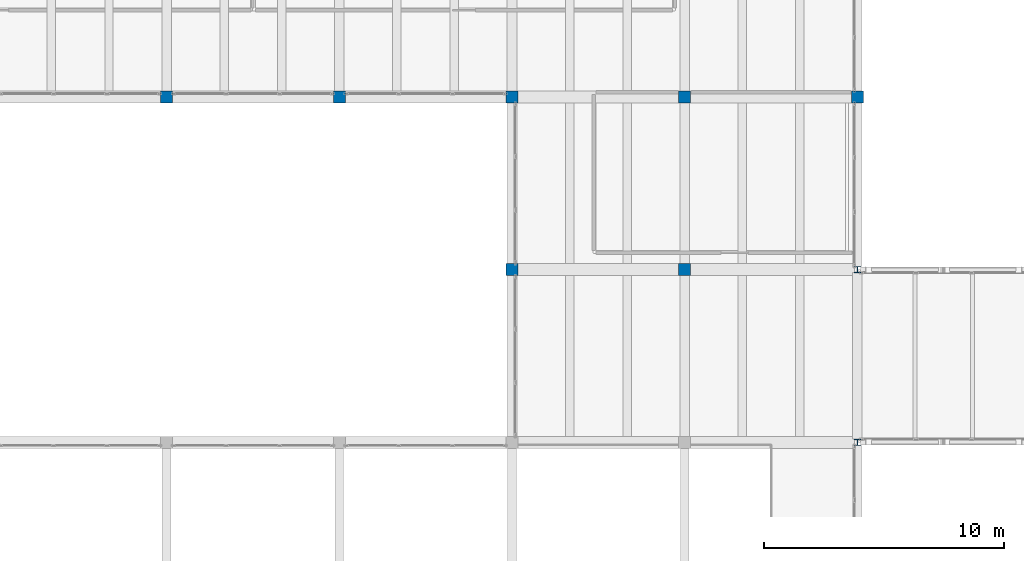
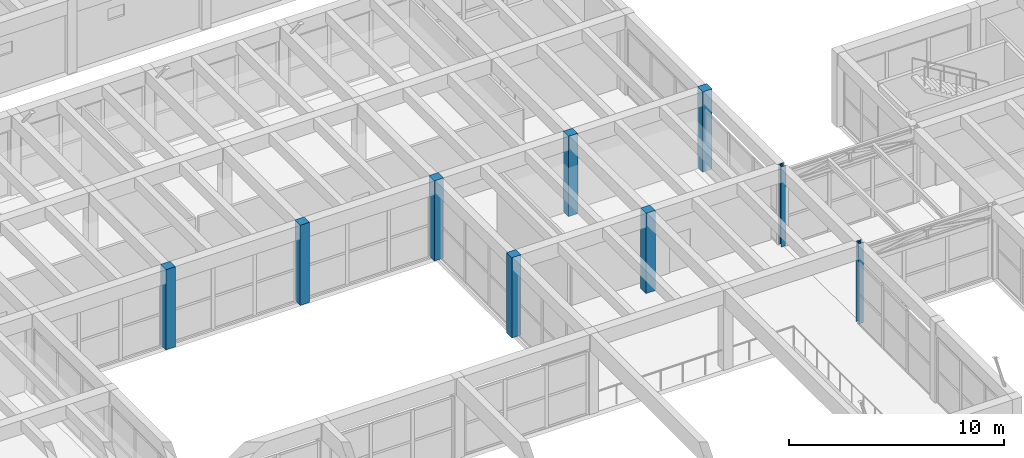
# One storey, part 4 of 153: 9 columns.
"""IFC4 building model written with IfcOpenShell, lengths in metres."""

import ifcopenshell
import ifcopenshell.guid

model = None  # the IFC model being written
_history = None  # IfcOwnerHistory: only IFC2X3 demands one
_inside = {}  # id of a spatial element -> (the spatial element, [elements in it])
_under = {}  # id of a project, library or spatial element -> (it, [spatial elements below it])
_declared = {}  # id of a project -> (the project, [libraries it declares])
_typed = {}  # id of a type object -> (the type object, [elements of that type])
_made_of = {}  # id of a material, layer set ... -> (it, [elements and type objects made of it])


def new_model(schema):
    """Start an empty IFC model of exactly this schema.

    Asked for "IFC4X3", IfcOpenShell would pick the latest addendum, in which some entities
    have other attributes; the version numbers below select the first issue.
    IFC2X3 requires an IfcOwnerHistory on every rooted entity: one is made here for all.
    """
    global model, _history
    if schema == "IFC4X3":
        model = ifcopenshell.file(schema_version=(4, 3, 0, 0))
    else:
        model = ifcopenshell.file(schema=schema)
    _inside.clear()
    _under.clear()
    _declared.clear()
    _typed.clear()
    _made_of.clear()
    _history = None
    if model.schema == "IFC2X3":
        org = make("IfcOrganization", Name="unknown")
        user = make(
            "IfcPersonAndOrganization",
            ThePerson=make("IfcPerson", FamilyName="unknown"),
            TheOrganization=org,
        )
        app = make(
            "IfcApplication",
            ApplicationDeveloper=org,
            Version="unknown",
            ApplicationFullName="unknown",
            ApplicationIdentifier="unknown",
        )
        _history = make(
            "IfcOwnerHistory",
            OwningUser=user,
            OwningApplication=app,
            ChangeAction="ADDED",
            CreationDate=0,
        )
    return model


def make(cls, **values):
    """One entity of the class cls with the attributes given. An attribute that is None is left unset."""
    return model.create_entity(
        cls, **{name: value for name, value in values.items() if value is not None}
    )


def rooted(cls, **values):
    """An entity with a GlobalId (a new one), such as an element, a storey or a relation."""
    return make(cls, GlobalId=ifcopenshell.guid.new(), OwnerHistory=_history, **values)


def si_unit(unit_type, name, prefix=None):
    """IfcSIUnit, for example si_unit("LENGTHUNIT", "METRE", prefix="MILLI")."""
    return make("IfcSIUnit", UnitType=unit_type, Prefix=prefix, Name=name)


def assignment(units):
    """IfcUnitAssignment: the units of a project."""
    return None if units is None else make("IfcUnitAssignment", Units=units)


def point(xyz):
    """IfcCartesianPoint."""
    return None if xyz is None else make("IfcCartesianPoint", Coordinates=xyz)


def direction(xyz):
    """IfcDirection."""
    return None if xyz is None else make("IfcDirection", DirectionRatios=xyz)


def frame(location, z_axis=None, x_axis=None):
    """IfcAxis2Placement3D, a coordinate frame: its origin and axes. An axis left out is left unset."""
    return make(
        "IfcAxis2Placement3D",
        Location=point(location),
        Axis=direction(z_axis),
        RefDirection=direction(x_axis),
    )


def frame_2d(location, x_axis=None):
    """IfcAxis2Placement2D, a coordinate frame in the plane: its origin and x axis."""
    return make(
        "IfcAxis2Placement2D", Location=point(location), RefDirection=direction(x_axis)
    )


def origin():
    """The frame at (0, 0, 0) with its axes left unset."""
    return frame((0.0, 0.0, 0.0))


def origin_2d():
    """The frame at (0, 0) in the plane with its x axis left unset."""
    return frame_2d((0.0, 0.0))


def place(relative_to, where):
    """IfcLocalPlacement: puts the frame where relative to a parent placement (None: the world)."""
    return make(
        "IfcLocalPlacement", PlacementRelTo=relative_to, RelativePlacement=where
    )


def context(
    kind, dimensions, precision=None, world=None, true_north=None, identifier=None
):
    """IfcGeometricRepresentationContext, for example the 3D "Model" context."""
    return make(
        "IfcGeometricRepresentationContext",
        ContextIdentifier=identifier,
        ContextType=kind,
        CoordinateSpaceDimension=dimensions,
        Precision=precision,
        WorldCoordinateSystem=world,
        TrueNorth=true_north,
    )


def subcontext(parent, identifier, kind, view, scale=None):
    """IfcGeometricRepresentationSubContext, for example "Body" below "Model"."""
    return make(
        "IfcGeometricRepresentationSubContext",
        ContextIdentifier=identifier,
        ContextType=kind,
        ParentContext=parent,
        TargetScale=scale,
        TargetView=view,
    )


def project(units=None, contexts=None):
    """IfcProject with its units and contexts."""
    return rooted(
        "IfcProject",
        Name="project",
        RepresentationContexts=contexts,
        UnitsInContext=assignment(units),
    )


def spatial(cls, under=None, at=None, **own):
    """A site, building, storey or space (cls), placed at a placement, below another one or the project."""
    s = rooted(cls, ObjectPlacement=at, **own)
    if under is not None:
        _under.setdefault(under.id(), (under, []))[1].append(s)
    return s


def profile(cls, at=None, kind="AREA", **sizes):
    """A parametric profile (cls). Its sizes go by their IFC names, for example OverallWidth=200.0."""
    return make(cls, ProfileType=kind, Position=at, **sizes)


def rectangle(**sizes):
    """IfcRectangleProfileDef."""
    return profile("IfcRectangleProfileDef", **sizes)


def i_section(**sizes):
    """IfcIShapeProfileDef."""
    return profile("IfcIShapeProfileDef", **sizes)


def extrude(swept, where, along, depth):
    """IfcExtrudedAreaSolid: the profile swept, set in the frame where, extruded along a direction by depth."""
    return make(
        "IfcExtrudedAreaSolid",
        SweptArea=swept,
        Position=where,
        ExtrudedDirection=direction(along),
        Depth=depth,
    )


def shape(context_of_items, identifier, shape_type, items):
    """IfcShapeRepresentation: the items that make up one representation, for example the "Body"."""
    return make(
        "IfcShapeRepresentation",
        ContextOfItems=context_of_items,
        RepresentationIdentifier=identifier,
        RepresentationType=shape_type,
        Items=items,
    )


def material(Name=None, Category=None):
    """IfcMaterial."""
    return make("IfcMaterial", Name=Name, Category=Category)


def material_profile(
    of_material, cross_section, Name=None, Category=None, Priority=None
):
    """IfcMaterialProfile: a cross section and its material."""
    return make(
        "IfcMaterialProfile",
        Name=Name,
        Material=of_material,
        Profile=cross_section,
        Priority=Priority,
        Category=Category,
    )


def profile_set(profiles, Name=None, composite=None):
    """IfcMaterialProfileSet."""
    return make(
        "IfcMaterialProfileSet",
        Name=Name,
        MaterialProfiles=profiles,
        CompositeProfile=composite,
    )


def made_of(thing, what):
    """Note that an element or type object is made of a material, layer set ...; save() writes the relation."""
    if what is not None:
        _made_of.setdefault(what.id(), (what, []))[1].append(thing)
    return thing


def type_object(cls, material=None, **own):
    """A type object (cls), such as IfcWallType, which elements share."""
    return made_of(rooted(cls, **own), material)


def element(
    cls,
    number,
    at=None,
    inside=None,
    cuts=None,
    type_object=None,
    material=None,
    context=None,
    identifier="Body",
    shape_type=None,
    held_by="IfcProductDefinitionShape",
    body=None,
    shapes=None,
    **own,
):
    """One element of the class cls, such as IfcWall. Its Tag is "e" and its number.

    at: its placement. inside: the storey or other place that contains it. cuts: it is an
    opening in that element (IfcRelVoidsElement). A single representation is given by context,
    identifier, shape_type and body (its items); several are given by shapes. held_by: the class
    of the entity that holds the representations. save() writes the other relations.
    """
    e = rooted(cls, Tag="e%d" % number, ObjectPlacement=at, **own)
    if body is not None:
        shapes = [shape(context, identifier, shape_type, body)]
    if shapes is not None:
        e.Representation = make(held_by, Representations=shapes)
    if inside is not None:
        _inside.setdefault(inside.id(), (inside, []))[1].append(e)
    if cuts is not None:
        rooted(
            "IfcRelVoidsElement", RelatingBuildingElement=cuts, RelatedOpeningElement=e
        )
    if type_object is not None:
        _typed.setdefault(type_object.id(), (type_object, []))[1].append(e)
    return made_of(e, material)


def aggregate(whole, parts):
    """IfcRelAggregates: a whole, such as a stair, and the parts it consists of."""
    return rooted("IfcRelAggregates", RelatingObject=whole, RelatedObjects=parts)


def save(model, path):
    """Write the relations noted so far, then the file.

    IfcRelAggregates (storeys below a building ...), IfcRelContainedInSpatialStructure (elements
    in a storey), IfcRelDefinesByType, IfcRelAssociatesMaterial and IfcRelDeclares: one each for
    every whole, place, type object, material and project.
    """
    for whole, parts in _under.values():
        aggregate(whole, parts)
    for where, things in _inside.values():
        rooted(
            "IfcRelContainedInSpatialStructure",
            RelatedElements=things,
            RelatingStructure=where,
        )
    for kind, things in _typed.values():
        rooted("IfcRelDefinesByType", RelatedObjects=things, RelatingType=kind)
    for what, things in _made_of.values():
        rooted("IfcRelAssociatesMaterial", RelatedObjects=things, RelatingMaterial=what)
    for by, libraries in _declared.values():
        rooted("IfcRelDeclares", RelatingContext=by, RelatedDefinitions=libraries)
    model.write(path)


model = new_model("IFC4")

# Units and contexts
model_context = context("Model", 3, precision=1e-05, world=origin(), true_north=direction((0.0, 1.0)))
body_context = subcontext(model_context, "Body", "Model", "MODEL_VIEW")
ifc_project = project(units=[si_unit("LENGTHUNIT", "METRE"), si_unit("AREAUNIT", "SQUARE_METRE"), si_unit("VOLUMEUNIT", "CUBIC_METRE"), si_unit("PLANEANGLEUNIT", "RADIAN"), si_unit("MASSUNIT", "GRAM", prefix="KILO")], contexts=[model_context])

# Site, building, storey
site_placement = place(None, origin())
site = spatial("IfcSite", under=ifc_project, at=site_placement, CompositionType="ELEMENT")
building_placement = place(site_placement, origin())
building = spatial("IfcBuilding", under=site, at=building_placement, Name="Bramvelor Terrace Health Centre", CompositionType="ELEMENT")
storey_placement = place(building_placement, frame((0.0, 0.0, 4.800048828125)))
storey = spatial("IfcBuildingStorey", under=building, at=storey_placement, Name="L02", CompositionType="ELEMENT", Elevation=4.800048828125)

# Columns
ifc_material_1 = material(Name="Concrete C40/50", Category="concrete")
ifc_material_profile_1 = material_profile(ifc_material_1, rectangle(XDim=0.5, YDim=0.5, at=origin_2d()), Name="RC 500x500")
ifc_profile_set_1 = profile_set([ifc_material_profile_1], Name="Concrete C40/50")
column_type_1 = type_object("IfcColumnType", Name="COL-RC-500", PredefinedType="COLUMN", material=ifc_profile_set_1)
for number, where, z_axis, x_axis, name in (
    (1, (64.800048828125, 64.800048828125, 0.0), (0.0, 0.0, 1.0), (1.0, 0.0, 0.0), "L02 Column (64.8, 64.8)"),
    (2, (72.0, 64.800048828125, 0.0), (0.0, 0.0, 1.0), (1.0, 0.0, 0.0), "L02 Column (72.0, 64.8)"),
    (3, (79.199951171875, 57.60009765625, 0.0), (0.0, 0.0, 1.0), (1.0, 0.0, 0.0), "L02 Column (79.2, 57.6)"),
    (4, (79.199951171875, 64.800048828125, 0.0), (0.0, 0.0, 1.0), (1.0, 0.0, 0.0), "L02 Column (79.2, 64.8)"),
    (5, (86.39990234375, 57.60009765625, 0.0), (0.0, 0.0, 1.0), (1.0, 0.0, 0.0), "L02 Column (86.4, 57.6)"),
    (6, (86.39990234375, 64.800048828125, 0.0), (0.0, 0.0, 1.0), (1.0, 0.0, 0.0), "L02 Column (86.4, 64.8)"),
    (7, (93.60009765625, 64.800048828125, 0.0), (0.0, 0.0, 1.0), (1.0, 0.0, 0.0), "L02 Column (93.6, 64.8)"),
):
    element("IfcColumn", number, at=place(storey_placement, frame(where, z_axis=z_axis, x_axis=x_axis)), inside=storey, type_object=column_type_1, Name=name, PredefinedType="COLUMN", context=body_context, shape_type="SweptSolid", body=[
        extrude(rectangle(XDim=0.5, YDim=0.5, at=origin_2d()), origin(), (0.0, 0.0, 1.0), 4.550048828125),
    ])
ifc_material_2 = material(Name="Steel S355J2", Category="steel")
ifc_material_profile_2 = material_profile(ifc_material_2, i_section(OverallWidth=0.25634765625, OverallDepth=0.26025390625, WebThickness=0.01025390625, FlangeThickness=0.017333984375, FilletRadius=0.0126953125, at=origin_2d()), Name="UC 254x254x89")
ifc_profile_set_2 = profile_set([ifc_material_profile_2], Name="Steel S355J2")
column_type_2 = type_object("IfcColumnType", Name="COL-STL-UC254", PredefinedType="COLUMN", material=ifc_profile_set_2)
for number, where, z_axis, x_axis, name in (
    (8, (93.60009765625, 50.39990234375, 0.0), (0.0, 0.0, 1.0), (1.0, 0.0, 0.0), "L02 Column (93.6, 50.4)"),
    (9, (93.60009765625, 57.60009765625, 0.0), (0.0, 0.0, 1.0), (1.0, 0.0, 0.0), "L02 Column (93.6, 57.6)"),
):
    element("IfcColumn", number, at=place(storey_placement, frame(where, z_axis=z_axis, x_axis=x_axis)), inside=storey, type_object=column_type_2, Name=name, PredefinedType="COLUMN", context=body_context, shape_type="SweptSolid", body=[
        extrude(i_section(OverallWidth=0.25634765625, OverallDepth=0.26025390625, WebThickness=0.01025390625, FlangeThickness=0.017333984375, FilletRadius=0.0126953125, at=origin_2d()), origin(), (0.0, 0.0, 1.0), 4.550048828125),
    ])

save(model, "model.ifc")
